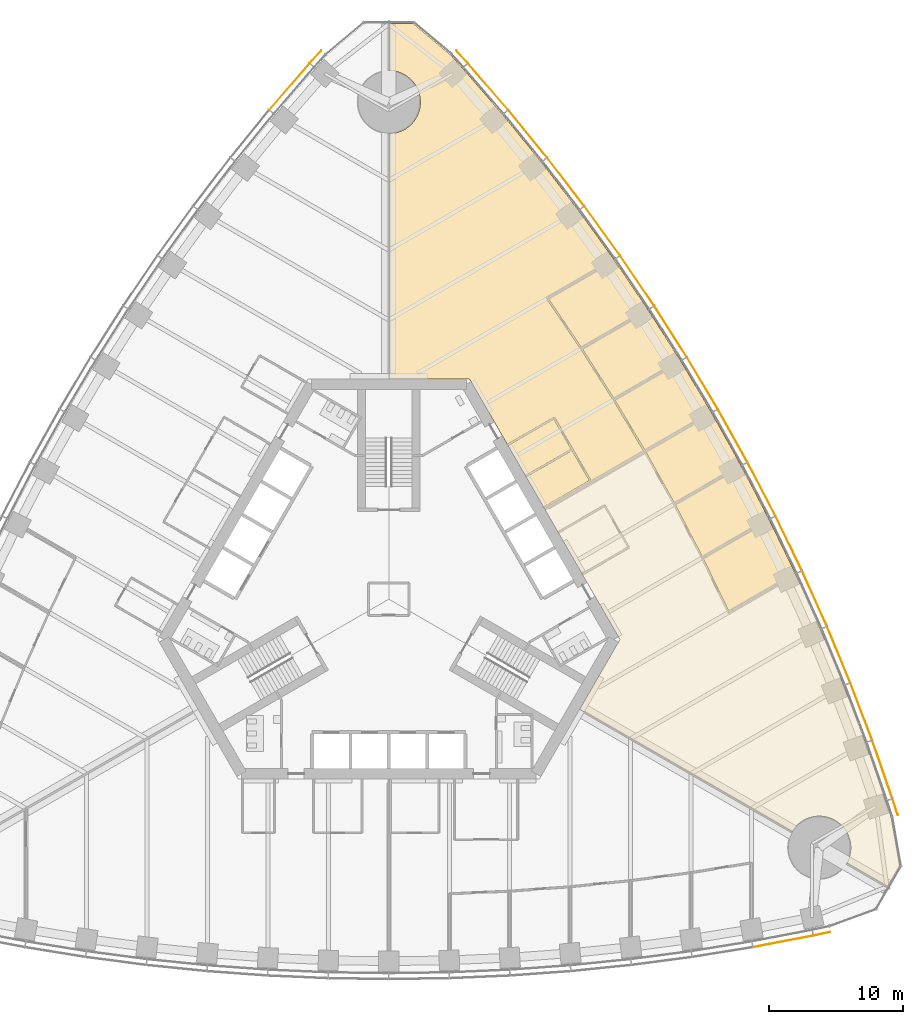
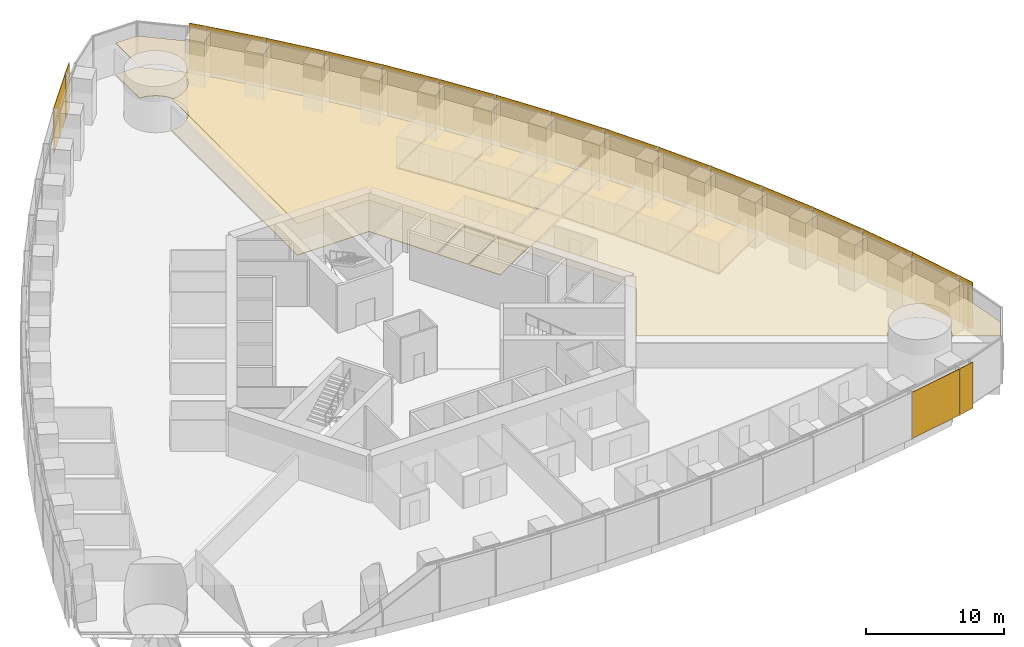
# One storey, part 17 of 19: 20 shading devices, 10 coverings.
"""IFC4 building model written with IfcOpenShell, lengths in metres."""

from ifc_helpers import new_model, si_unit, direction, frame, origin, origin_2d, place, context, subcontext, project, spatial, polyline, rectangle, outline, extrude, material, layer, layer_set, type_object, element, save


model = new_model("IFC4")

# Units and contexts
model_context = context("Model", 3, precision=1e-05, world=origin(), true_north=direction((0.0, 1.0)))
body_context = subcontext(model_context, "Body", "Model", "MODEL_VIEW")
ifc_project = project(units=[si_unit("LENGTHUNIT", "METRE"), si_unit("AREAUNIT", "SQUARE_METRE"), si_unit("VOLUMEUNIT", "CUBIC_METRE"), si_unit("PLANEANGLEUNIT", "RADIAN"), si_unit("MASSUNIT", "GRAM", prefix="KILO")], contexts=[model_context])

# Site, building, storey
site_placement = place(None, origin())
site = spatial("IfcSite", under=ifc_project, at=site_placement, CompositionType="ELEMENT")
building_placement = place(site_placement, origin())
building = spatial("IfcBuilding", under=site, at=building_placement, Name="Trefoil Bronze Tower", CompositionType="ELEMENT")
storey_placement = place(building_placement, frame((0.0, 0.0, 45.89990234375)))
storey = spatial("IfcBuildingStorey", under=building, at=storey_placement, Name="L10", CompositionType="ELEMENT", Elevation=45.89990234375)

# Shading devices
ifc_material_1 = material(Name="Perforated bronze sheet", Category="bronze")
ifc_layer_1 = layer(ifc_material_1, 0.0400390625)
ifc_layer_set_1 = layer_set([ifc_layer_1], Name="Bronze solar screen panel")
shading_device_type = type_object("IfcShadingDeviceType", Name="Bronze solar screen panel", PredefinedType="SHUTTER", material=ifc_layer_set_1)
shading_device_1_placement = place(storey_placement, frame((29.351806640625, -25.478515625, 0.050048828125), z_axis=(0.0, 0.0, 1.0), x_axis=(0.982049823817, 0.188621694249, 0.0)))
element("IfcShadingDevice", 1, at=shading_device_1_placement, inside=storey, type_object=shading_device_type, Name="Solar screen CW-A L10 F1 bay 15", PredefinedType="SHUTTER", context=body_context, shape_type="SweptSolid", body=[
    extrude(rectangle(XDim=4.55224609375, YDim=0.0400390625, at=origin_2d()), origin(), (0.0, 0.0, 1.0), 4.10009765625),
])
for number, where, z_axis, x_axis, name in (
    (2, (32.2431640625, -24.91064453125, 0.050048828125), (0.0, 0.0, 1.0), (0.978302717041, 0.207180582657, 0.0), "Solar screen CW-A L10 F1 bay 16"),
    (3, (37.69482421875, -15.468017578125, 0.050048828125), (0.0, 0.0, 1.0), (-0.309727710769, 0.950825296877, 0.0), "Solar screen CW-A L10 F2 bay 1"),
):
    element("IfcShadingDevice", number, at=place(storey_placement, frame(where, z_axis=z_axis, x_axis=x_axis)), inside=storey, type_object=shading_device_type, Name=name, PredefinedType="SHUTTER", context=body_context, shape_type="SweptSolid", body=[
        extrude(rectangle(XDim=1.260498046875, YDim=0.0400390625, at=origin_2d()), origin(), (0.0, 0.0, 1.0), 4.10009765625),
    ])
shading_device_2_placement = place(storey_placement, frame((36.740966796875, -12.68017578125, 0.050048828125), z_axis=(0.0, 0.0, 1.0), x_axis=(-0.327673732984, 0.944790942332, 0.0)))
element("IfcShadingDevice", 4, at=shading_device_2_placement, inside=storey, type_object=shading_device_type, Name="Solar screen CW-A L10 F2 bay 2", PredefinedType="SHUTTER", context=body_context, shape_type="SweptSolid", body=[
    extrude(rectangle(XDim=4.55224609375, YDim=0.0400390625, at=origin_2d()), origin(), (0.0, 0.0, 1.0), 4.10009765625),
])
shading_device_3_placement = place(storey_placement, frame((35.1748046875, -8.3701171875, 0.050048828125), z_axis=(0.0, 0.0, 1.0), x_axis=(-0.355370585687, 0.934725492767, 0.0)))
element("IfcShadingDevice", 5, at=shading_device_3_placement, inside=storey, type_object=shading_device_type, Name="Solar screen CW-A L10 F2 bay 3", PredefinedType="SHUTTER", context=body_context, shape_type="SweptSolid", body=[
    extrude(rectangle(XDim=4.5283203125, YDim=0.0400390625, at=origin_2d()), origin(), (0.0, 0.0, 1.0), 4.10009765625),
])
shading_device_4_placement = place(storey_placement, frame((33.49072265625, -4.128173828125, 0.050048828125), z_axis=(0.0, 0.0, 1.0), x_axis=(-0.382629580712, 0.923901836758, 0.0)))
element("IfcShadingDevice", 6, at=shading_device_4_placement, inside=storey, type_object=shading_device_type, Name="Solar screen CW-A L10 F2 bay 4", PredefinedType="SHUTTER", context=body_context, shape_type="SweptSolid", body=[
    extrude(rectangle(XDim=4.5087890625, YDim=0.0400390625, at=origin_2d()), origin(), (0.0, 0.0, 1.0), 4.10009765625),
])
shading_device_5_placement = place(storey_placement, frame((31.68994140625, 0.04638671875, 0.050048828125), z_axis=(0.0, 0.0, 1.0), x_axis=(-0.40945635808, 0.912329705111, 0.0)))
element("IfcShadingDevice", 7, at=shading_device_5_placement, inside=storey, type_object=shading_device_type, Name="Solar screen CW-A L10 F2 bay 5", PredefinedType="SHUTTER", context=body_context, shape_type="SweptSolid", body=[
    extrude(rectangle(XDim=4.493408203125, YDim=0.0400390625, at=origin_2d()), origin(), (0.0, 0.0, 1.0), 4.10009765625),
])
shading_device_6_placement = place(storey_placement, frame((29.77392578125, 4.154541015625, 0.050048828125), z_axis=(0.0, 0.0, 1.0), x_axis=(-0.4358553457, 0.900016731858, 0.0)))
element("IfcShadingDevice", 8, at=shading_device_6_placement, inside=storey, type_object=shading_device_type, Name="Solar screen CW-A L10 F2 bay 6", PredefinedType="SHUTTER", context=body_context, shape_type="SweptSolid", body=[
    extrude(rectangle(XDim=4.48193359375, YDim=0.0400390625, at=origin_2d()), origin(), (0.0, 0.0, 1.0), 4.10009765625),
])
shading_device_7_placement = place(storey_placement, frame((27.74365234375, 8.1962890625, 0.050048828125), z_axis=(0.0, 0.0, 1.0), x_axis=(-0.46182981834, 0.886968555752, 0.0)))
element("IfcShadingDevice", 9, at=shading_device_7_placement, inside=storey, type_object=shading_device_type, Name="Solar screen CW-A L10 F2 bay 7", PredefinedType="SHUTTER", context=body_context, shape_type="SweptSolid", body=[
    extrude(rectangle(XDim=4.474365234375, YDim=0.0400390625, at=origin_2d()), origin(), (0.0, 0.0, 1.0), 4.10009765625),
])
for number, where, z_axis, x_axis, name in (
    (10, (25.599365234375, 12.172607421875, 0.050048828125), (0.0, 0.0, 1.0), (-0.487381940453, 0.873188893722, 0.0), "Solar screen CW-A L10 F2 bay 8"),
    (11, (23.341552734375, 16.083251953125, 0.050048828125), (0.0, 0.0, 1.0), (-0.51251279404, 0.858679588639, 0.0), "Solar screen CW-A L10 F2 bay 9"),
):
    element("IfcShadingDevice", number, at=place(storey_placement, frame(where, z_axis=z_axis, x_axis=x_axis)), inside=storey, type_object=shading_device_type, Name=name, PredefinedType="SHUTTER", context=body_context, shape_type="SweptSolid", body=[
        extrude(rectangle(XDim=4.470458984375, YDim=0.0400390625, at=origin_2d()), origin(), (0.0, 0.0, 1.0), 4.10009765625),
    ])
shading_device_8_placement = place(storey_placement, frame((20.97021484375, 19.928466796875, 0.050048828125), z_axis=(0.0, 0.0, 1.0), x_axis=(-0.537222392469, 0.843440632783, 0.0)))
element("IfcShadingDevice", 12, at=shading_device_8_placement, inside=storey, type_object=shading_device_type, Name="Solar screen CW-A L10 F2 bay 10", PredefinedType="SHUTTER", context=body_context, shape_type="SweptSolid", body=[
    extrude(rectangle(XDim=4.474365234375, YDim=0.0400390625, at=origin_2d()), origin(), (0.0, 0.0, 1.0), 4.10009765625),
])
shading_device_9_placement = place(storey_placement, frame((18.48486328125, 23.707763671875, 0.050048828125), z_axis=(0.0, 0.0, 1.0), x_axis=(-0.56150968077, 0.827470167681, 0.0)))
element("IfcShadingDevice", 13, at=shading_device_9_placement, inside=storey, type_object=shading_device_type, Name="Solar screen CW-A L10 F2 bay 11", PredefinedType="SHUTTER", context=body_context, shape_type="SweptSolid", body=[
    extrude(rectangle(XDim=4.48193359375, YDim=0.0400390625, at=origin_2d()), origin(), (0.0, 0.0, 1.0), 4.10009765625),
])
shading_device_10_placement = place(storey_placement, frame((15.88525390625, 27.421142578125, 0.050048828125), z_axis=(0.0, 0.0, 1.0), x_axis=(-0.585372522213, 0.810764460394, 0.0)))
element("IfcShadingDevice", 14, at=shading_device_10_placement, inside=storey, type_object=shading_device_type, Name="Solar screen CW-A L10 F2 bay 12", PredefinedType="SHUTTER", context=body_context, shape_type="SweptSolid", body=[
    extrude(rectangle(XDim=4.493408203125, YDim=0.0400390625, at=origin_2d()), origin(), (0.0, 0.0, 1.0), 4.10009765625),
])
shading_device_11_placement = place(storey_placement, frame((13.170166015625, 31.06787109375, 0.050048828125), z_axis=(0.0, 0.0, 1.0), x_axis=(-0.608807670879, 0.793317855515, 0.0)))
element("IfcShadingDevice", 15, at=shading_device_11_placement, inside=storey, type_object=shading_device_type, Name="Solar screen CW-A L10 F2 bay 13", PredefinedType="SHUTTER", context=body_context, shape_type="SweptSolid", body=[
    extrude(rectangle(XDim=4.5087890625, YDim=0.0400390625, at=origin_2d()), origin(), (0.0, 0.0, 1.0), 4.10009765625),
])
shading_device_12_placement = place(storey_placement, frame((10.338623046875, 34.6474609375, 0.050048828125), z_axis=(0.0, 0.0, 1.0), x_axis=(-0.631810729457, 0.775122701346, 0.0)))
element("IfcShadingDevice", 16, at=shading_device_12_placement, inside=storey, type_object=shading_device_type, Name="Solar screen CW-A L10 F2 bay 14", PredefinedType="SHUTTER", context=body_context, shape_type="SweptSolid", body=[
    extrude(rectangle(XDim=4.5283203125, YDim=0.0400390625, at=origin_2d()), origin(), (0.0, 0.0, 1.0), 4.10009765625),
])
shading_device_13_placement = place(storey_placement, frame((7.38916015625, 38.15869140625, 0.050048828125), z_axis=(0.0, 0.0, 1.0), x_axis=(-0.654376090833, 0.756169248083, 0.0)))
element("IfcShadingDevice", 17, at=shading_device_13_placement, inside=storey, type_object=shading_device_type, Name="Solar screen CW-A L10 F2 bay 15", PredefinedType="SHUTTER", context=body_context, shape_type="SweptSolid", body=[
    extrude(rectangle(XDim=4.55224609375, YDim=0.0400390625, at=origin_2d()), origin(), (0.0, 0.0, 1.0), 4.10009765625),
])
for number, where, z_axis, x_axis, name in (
    (18, (5.45166015625, 40.378662109375, 0.050048828125), (0.0, 0.0, 1.0), (-0.668575006272, 0.743644714221, 0.0), "Solar screen CW-A L10 F2 bay 16"),
    (19, (-5.45166015625, 40.378662109375, 0.050048828125), (0.0, 0.0, 1.0), (-0.668575006272, -0.743644714221, 0.0), "Solar screen CW-A L10 F3 bay 1"),
):
    element("IfcShadingDevice", number, at=place(storey_placement, frame(where, z_axis=z_axis, x_axis=x_axis)), inside=storey, type_object=shading_device_type, Name=name, PredefinedType="SHUTTER", context=body_context, shape_type="SweptSolid", body=[
        extrude(rectangle(XDim=1.260498046875, YDim=0.0400390625, at=origin_2d()), origin(), (0.0, 0.0, 1.0), 4.10009765625),
    ])
shading_device_14_placement = place(storey_placement, frame((-7.38916015625, 38.15869140625, 0.050048828125), z_axis=(0.0, 0.0, 1.0), x_axis=(-0.654376090833, -0.756169248083, 0.0)))
element("IfcShadingDevice", 20, at=shading_device_14_placement, inside=storey, type_object=shading_device_type, Name="Solar screen CW-A L10 F3 bay 2", PredefinedType="SHUTTER", context=body_context, shape_type="SweptSolid", body=[
    extrude(rectangle(XDim=4.55224609375, YDim=0.0400390625, at=origin_2d()), origin(), (0.0, 0.0, 1.0), 4.10009765625),
])

# Coverings
ifc_material_2 = material(Name="Acoustic ceiling panels", Category="mineral fibre")
ifc_layer_2 = layer(ifc_material_2, 0.02001953125)
ifc_layer_set_2 = layer_set([ifc_layer_2], Name="Office ceiling 20")
covering_type_1 = type_object("IfcCoveringType", Name="Office ceiling 20", PredefinedType="CEILING", material=ifc_layer_set_2)
covering_1_placement = place(storey_placement, frame((0.0, 0.0, 2.900146484375)))
element("IfcCovering", 21, at=covering_1_placement, inside=storey, type_object=covering_type_1, Name="Ceiling L10 Open-plan office F2", PredefinedType="CEILING", context=body_context, shape_type="SweptSolid", body=[
    extrude(outline(polyline([(5.4814453125, 39.537841796875), (8.47998046875, 36.072998046875), (11.360107421875, 32.53955078125), (14.123291015625, 28.938720703125), (16.771240234375, 25.271484375), (19.3046875, 21.537841796875), (21.724609375, 17.73876953125), (24.031005859375, 13.87451171875), (26.224609375, 9.944580078125), (28.3046875, 5.949462890625), (30.271240234375, 1.888671875), (32.123291015625, -2.23828125), (33.860107421875, -6.431640625), (35.47998046875, -10.6923828125), (36.9814453125, -15.021728515625), (37.381103515625, -16.248779296875), (38.0146484375, -19.841552734375), (37.110595703125, -21.4072265625), (34.084716796875, -19.661865234375), (34.115478515625, -19.60791015625), (34.167236328125, -19.5048828125), (34.214111328125, -19.3994140625), (34.255615234375, -19.291748046875), (34.291748046875, -19.18212890625), (34.322509765625, -19.071044921875), (34.347900390625, -18.95849609375), (34.367431640625, -18.8447265625), (34.381591796875, -18.730224609375), (34.39013671875, -18.615234375), (34.392822265625, -18.5), (34.39013671875, -18.384765625), (34.381591796875, -18.269775390625), (34.367431640625, -18.1552734375), (34.347900390625, -18.04150390625), (34.322509765625, -17.928955078125), (34.291748046875, -17.81787109375), (34.255615234375, -17.708251953125), (34.214111328125, -17.6005859375), (34.167236328125, -17.4951171875), (34.115478515625, -17.39208984375), (34.05859375, -17.2919921875), (33.996826171875, -17.1943359375), (33.930419921875, -17.10009765625), (33.859619140625, -17.00927734375), (33.7841796875, -16.921875), (33.70458984375, -16.83837890625), (33.62109375, -16.7587890625), (33.53369140625, -16.683349609375), (33.44287109375, -16.612548828125), (33.348388671875, -16.5458984375), (33.251220703125, -16.484375), (33.150634765625, -16.427490234375), (33.047607421875, -16.37548828125), (32.942138671875, -16.328857421875), (32.834716796875, -16.287353515625), (32.72509765625, -16.251220703125), (32.614013671875, -16.220458984375), (32.50146484375, -16.1953125), (32.3876953125, -16.17529296875), (32.273193359375, -16.161376953125), (32.158203125, -16.15283203125), (32.04296875, -16.14990234375), (31.927490234375, -16.15283203125), (31.8125, -16.161376953125), (31.697998046875, -16.17529296875), (31.58447265625, -16.1953125), (31.471923828125, -16.220458984375), (31.36083984375, -16.251220703125), (31.251220703125, -16.287353515625), (31.1435546875, -16.328857421875), (31.0380859375, -16.37548828125), (30.935302734375, -16.427490234375), (30.834716796875, -16.484375), (30.7373046875, -16.5458984375), (30.64306640625, -16.612548828125), (30.552001953125, -16.683349609375), (30.46484375, -16.7587890625), (30.381103515625, -16.83837890625), (30.3017578125, -16.921875), (30.226318359375, -17.00927734375), (30.155517578125, -17.10009765625), (30.089111328125, -17.1943359375), (30.02734375, -17.2919921875), (30.0146484375, -17.31396484375), (14.205810546875, -8.194580078125), (17.205078125, -3.0), (6.00439453125, 16.39990234375), (0.006103515625, 16.39990234375), (0.012939453125, 34.650390625), (0.115234375, 34.65283203125), (0.230224609375, 34.661376953125), (0.3447265625, 34.67529296875), (0.45849609375, 34.6953125), (0.571044921875, 34.720458984375), (0.68212890625, 34.751220703125), (0.791748046875, 34.787353515625), (0.8994140625, 34.828857421875), (1.0048828125, 34.87548828125), (1.10791015625, 34.927490234375), (1.2080078125, 34.984375), (1.3056640625, 35.0458984375), (1.39990234375, 35.112548828125), (1.49072265625, 35.183349609375), (1.578125, 35.2587890625), (1.66162109375, 35.33837890625), (1.7412109375, 35.421875), (1.816650390625, 35.50927734375), (1.887451171875, 35.60009765625), (1.9541015625, 35.6943359375), (2.015625, 35.7919921875), (2.072509765625, 35.89208984375), (2.12451171875, 35.9951171875), (2.171142578125, 36.1005859375), (2.212646484375, 36.208251953125), (2.248779296875, 36.31787109375), (2.279541015625, 36.428955078125), (2.3046875, 36.54150390625), (2.32470703125, 36.6552734375), (2.338623046875, 36.769775390625), (2.34716796875, 36.884765625), (2.35009765625, 37.0), (2.34716796875, 37.115234375), (2.338623046875, 37.230224609375), (2.32470703125, 37.3447265625), (2.3046875, 37.45849609375), (2.279541015625, 37.571044921875), (2.248779296875, 37.68212890625), (2.212646484375, 37.791748046875), (2.171142578125, 37.8994140625), (2.12451171875, 38.0048828125), (2.072509765625, 38.10791015625), (2.015625, 38.2080078125), (1.9541015625, 38.3056640625), (1.887451171875, 38.39990234375), (1.816650390625, 38.49072265625), (1.7412109375, 38.578125), (1.66162109375, 38.66162109375), (1.578125, 38.7412109375), (1.49072265625, 38.816650390625), (1.39990234375, 38.887451171875), (1.3056640625, 38.9541015625), (1.2080078125, 39.015625), (1.10791015625, 39.072509765625), (1.0048828125, 39.12451171875), (0.8994140625, 39.171142578125), (0.791748046875, 39.212646484375), (0.68212890625, 39.248779296875), (0.571044921875, 39.279541015625), (0.45849609375, 39.3046875), (0.3447265625, 39.32470703125), (0.230224609375, 39.338623046875), (0.115234375, 39.34716796875), (0.014892578125, 39.349609375), (0.01611328125, 42.84228515625), (1.82421875, 42.84228515625), (4.618896484375, 40.497314453125), (5.4814453125, 39.537841796875)])), origin(), (0.0, 0.0, 1.0), 0.02001953125),
])
ifc_material_3 = material(Name="Raised access floor panels", Category="steel")
ifc_layer_3 = layer(ifc_material_3, 0.050048828125)
ifc_layer_set_3 = layer_set([ifc_layer_3], Name="Raised access floor 150")
covering_type_2 = type_object("IfcCoveringType", Name="Raised access floor 150", PredefinedType="FLOORING", material=ifc_layer_set_3)
covering_2_placement = place(storey_placement, frame((0.0, 0.0, 0.10009765625)))
element("IfcCovering", 22, at=covering_2_placement, inside=storey, type_object=covering_type_2, Name="Raised floor L10 Pantry F2", PredefinedType="FLOORING", context=body_context, shape_type="SweptSolid", body=[
    extrude(outline(polyline([(10.22216796875, 9.094482421875), (13.634521484375, 11.064697265625), (14.92431640625, 8.830078125), (11.51220703125, 6.860107421875), (10.22216796875, 9.094482421875)])), origin(), (0.0, 0.0, 1.0), 0.050048828125),
])
covering_3_placement = place(storey_placement, frame((0.0, 0.0, 0.10009765625)))
element("IfcCovering", 23, at=covering_3_placement, inside=storey, type_object=covering_type_2, Name="Raised floor L10 Pantry F2", PredefinedType="FLOORING", context=body_context, shape_type="SweptSolid", body=[
    extrude(outline(polyline([(8.872314453125, 11.432861328125), (12.284423828125, 13.40283203125), (13.574462890625, 11.16845703125), (10.162109375, 9.198486328125), (8.872314453125, 11.432861328125)])), origin(), (0.0, 0.0, 1.0), 0.050048828125),
])
covering_4_placement = place(storey_placement, frame((0.0, 0.0, 0.10009765625)))
element("IfcCovering", 24, at=covering_4_placement, inside=storey, type_object=covering_type_2, Name="Raised floor L10 Office F2", PredefinedType="FLOORING", context=body_context, shape_type="SweptSolid", body=[
    extrude(outline(polyline([(16.771240234375, 25.271484375), (19.3046875, 21.537841796875), (17.93408203125, 20.74658203125), (17.904052734375, 20.798583984375), (14.343505859375, 18.742919921875), (11.87744140625, 22.376708984375), (15.427734375, 24.426513671875), (15.397705078125, 24.478515625), (16.771240234375, 25.271484375)])), origin(), (0.0, 0.0, 1.0), 0.050048828125),
])
covering_5_placement = place(storey_placement, frame((0.0, 0.0, 0.10009765625)))
element("IfcCovering", 25, at=covering_5_placement, inside=storey, type_object=covering_type_2, Name="Raised floor L10 Office F2", PredefinedType="FLOORING", context=body_context, shape_type="SweptSolid", body=[
    extrude(outline(polyline([(21.724609375, 17.73876953125), (20.355712890625, 16.948486328125), (20.32568359375, 17.00048828125), (16.7646484375, 14.944580078125), (14.409423828125, 18.642333984375), (17.964111328125, 20.694580078125), (17.93408203125, 20.74658203125), (19.3046875, 21.537841796875), (21.724609375, 17.73876953125)])), origin(), (0.0, 0.0, 1.0), 0.050048828125),
])
covering_6_placement = place(storey_placement, frame((0.0, 0.0, 0.10009765625)))
element("IfcCovering", 26, at=covering_6_placement, inside=storey, type_object=covering_type_2, Name="Raised floor L10 Office F2", PredefinedType="FLOORING", context=body_context, shape_type="SweptSolid", body=[
    extrude(outline(polyline([(21.724609375, 17.73876953125), (24.031005859375, 13.87451171875), (22.662841796875, 13.08447265625), (22.625244140625, 13.1494140625), (19.06494140625, 11.09375), (16.82763671875, 14.84228515625), (20.385498046875, 16.896484375), (20.355712890625, 16.948486328125), (21.724609375, 17.73876953125)])), origin(), (0.0, 0.0, 1.0), 0.050048828125),
])
covering_7_placement = place(storey_placement, frame((0.0, 0.0, 0.10009765625)))
element("IfcCovering", 27, at=covering_7_placement, inside=storey, type_object=covering_type_2, Name="Raised floor L10 Office F2", PredefinedType="FLOORING", context=body_context, shape_type="SweptSolid", body=[
    extrude(outline(polyline([(24.031005859375, 13.87451171875), (26.224609375, 9.944580078125), (24.855712890625, 9.154296875), (24.82568359375, 9.206298828125), (21.267578125, 7.152099609375), (19.139892578125, 10.9638671875), (22.7001953125, 13.019287109375), (22.662841796875, 13.08447265625), (24.031005859375, 13.87451171875)])), origin(), (0.0, 0.0, 1.0), 0.050048828125),
])
covering_8_placement = place(storey_placement, frame((0.0, 0.0, 0.10009765625)))
element("IfcCovering", 28, at=covering_8_placement, inside=storey, type_object=covering_type_2, Name="Raised floor L10 Office F2", PredefinedType="FLOORING", context=body_context, shape_type="SweptSolid", body=[
    extrude(outline(polyline([(26.224609375, 9.944580078125), (28.3046875, 5.949462890625), (26.93408203125, 5.158203125), (26.904052734375, 5.210205078125), (23.349365234375, 3.15771484375), (21.32470703125, 7.04638671875), (24.885498046875, 9.102294921875), (24.855712890625, 9.154296875), (26.224609375, 9.944580078125)])), origin(), (0.0, 0.0, 1.0), 0.050048828125),
])
covering_9_placement = place(storey_placement, frame((0.0, 0.0, 0.10009765625)))
element("IfcCovering", 29, at=covering_9_placement, inside=storey, type_object=covering_type_2, Name="Raised floor L10 Meeting room F2", PredefinedType="FLOORING", context=body_context, shape_type="SweptSolid", body=[
    extrude(outline(polyline([(28.3046875, 5.949462890625), (30.271240234375, 1.888671875), (28.897705078125, 1.095703125), (28.867919921875, 1.147705078125), (25.3173828125, -0.902099609375), (23.4033203125, 3.05029296875), (26.964111328125, 5.106201171875), (26.93408203125, 5.158203125), (28.3046875, 5.949462890625)])), origin(), (0.0, 0.0, 1.0), 0.050048828125),
])
covering_10_placement = place(storey_placement, frame((0.0, 0.0, 0.10009765625)))
element("IfcCovering", 30, at=covering_10_placement, inside=storey, type_object=covering_type_2, Name="Raised floor L10 Open-plan office F2", PredefinedType="FLOORING", context=body_context, shape_type="SweptSolid", body=[
    extrude(outline(polyline([(8.47998046875, 36.072998046875), (11.360107421875, 32.53955078125), (14.123291015625, 28.938720703125), (16.771240234375, 25.271484375), (15.397705078125, 24.478515625), (15.367919921875, 24.5302734375), (11.76171875, 22.4482421875), (11.79150390625, 22.396484375), (11.741943359375, 22.36279296875), (14.27490234375, 18.6298828125), (16.69384765625, 14.832275390625), (18.9609375, 11.03369140625), (15.03125, 8.764892578125), (15.00634765625, 8.808349609375), (15.058349609375, 8.83837890625), (12.3583984375, 13.514892578125), (12.306396484375, 13.48486328125), (12.2763671875, 13.536865234375), (8.812255859375, 11.536865234375), (6.00439453125, 16.39990234375), (0.006103515625, 16.39990234375), (0.012939453125, 34.650390625), (0.115234375, 34.65283203125), (0.230224609375, 34.661376953125), (0.3447265625, 34.67529296875), (0.45849609375, 34.6953125), (0.571044921875, 34.720458984375), (0.68212890625, 34.751220703125), (0.791748046875, 34.787353515625), (0.8994140625, 34.828857421875), (1.0048828125, 34.87548828125), (1.10791015625, 34.927490234375), (1.2080078125, 34.984375), (1.3056640625, 35.0458984375), (1.39990234375, 35.112548828125), (1.49072265625, 35.183349609375), (1.578125, 35.2587890625), (1.66162109375, 35.33837890625), (1.7412109375, 35.421875), (1.816650390625, 35.50927734375), (1.887451171875, 35.60009765625), (1.9541015625, 35.6943359375), (2.015625, 35.7919921875), (2.072509765625, 35.89208984375), (2.12451171875, 35.9951171875), (2.171142578125, 36.1005859375), (2.212646484375, 36.208251953125), (2.248779296875, 36.31787109375), (2.279541015625, 36.428955078125), (2.3046875, 36.54150390625), (2.32470703125, 36.6552734375), (2.338623046875, 36.769775390625), (2.34716796875, 36.884765625), (2.35009765625, 37.0), (2.34716796875, 37.115234375), (2.338623046875, 37.230224609375), (2.32470703125, 37.3447265625), (2.3046875, 37.45849609375), (2.279541015625, 37.571044921875), (2.248779296875, 37.68212890625), (2.212646484375, 37.791748046875), (2.171142578125, 37.8994140625), (2.12451171875, 38.0048828125), (2.072509765625, 38.10791015625), (2.015625, 38.2080078125), (1.9541015625, 38.3056640625), (1.887451171875, 38.39990234375), (1.816650390625, 38.49072265625), (1.7412109375, 38.578125), (1.66162109375, 38.66162109375), (1.578125, 38.7412109375), (1.49072265625, 38.816650390625), (1.39990234375, 38.887451171875), (1.3056640625, 38.9541015625), (1.2080078125, 39.015625), (1.10791015625, 39.072509765625), (1.0048828125, 39.12451171875), (0.8994140625, 39.171142578125), (0.791748046875, 39.212646484375), (0.68212890625, 39.248779296875), (0.571044921875, 39.279541015625), (0.45849609375, 39.3046875), (0.3447265625, 39.32470703125), (0.230224609375, 39.338623046875), (0.115234375, 39.34716796875), (0.014892578125, 39.349609375), (0.01611328125, 42.84228515625), (1.82421875, 42.84228515625), (4.618896484375, 40.497314453125), (5.4814453125, 39.537841796875), (8.47998046875, 36.072998046875)])), origin(), (0.0, 0.0, 1.0), 0.050048828125),
])

save(model, "model.ifc")
